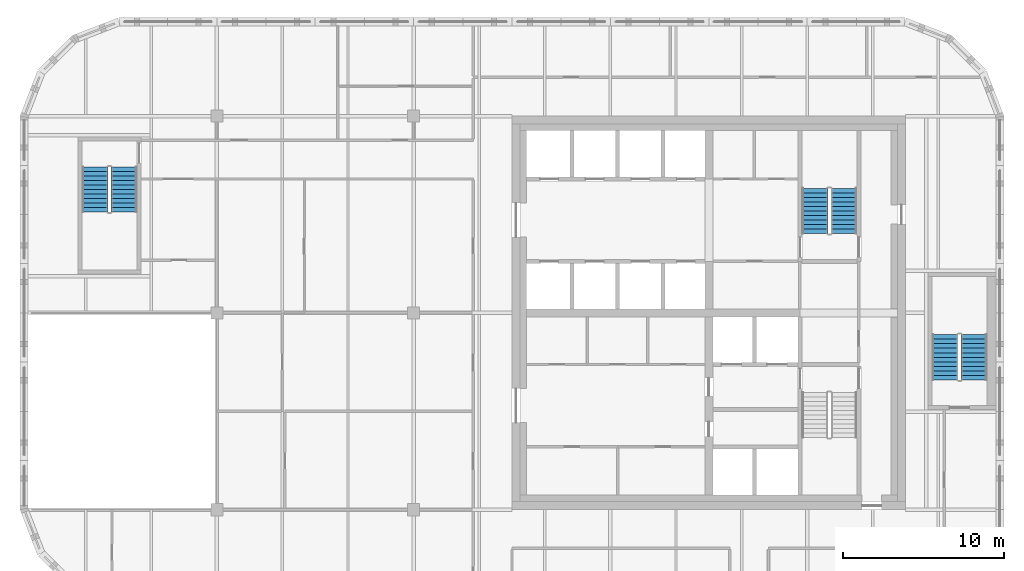
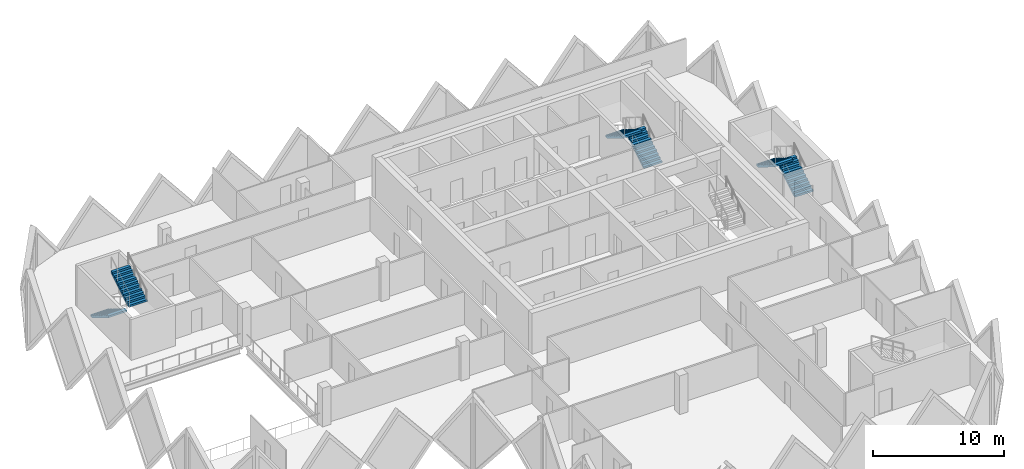
# One storey, part 11 of 12: 6 stair flights, 3 elements without a shape of their own.
"""IFC4 building model written with IfcOpenShell, lengths in metres."""

from ifc_helpers import new_model, si_unit, direction, frame, origin, place, context, subcontext, project, spatial, polyline, outline, extrude, material, type_object, element, aggregate, save


model = new_model("IFC4")

# Units and contexts
model_context = context("Model", 3, precision=1e-05, world=origin(), true_north=direction((0.0, 1.0)))
body_context = subcontext(model_context, "Body", "Model", "MODEL_VIEW")
ifc_project = project(units=[si_unit("LENGTHUNIT", "METRE"), si_unit("AREAUNIT", "SQUARE_METRE"), si_unit("VOLUMEUNIT", "CUBIC_METRE"), si_unit("PLANEANGLEUNIT", "RADIAN"), si_unit("MASSUNIT", "GRAM", prefix="KILO")], contexts=[model_context])

# Site, building, storey
site_placement = place(None, origin())
site = spatial("IfcSite", under=ifc_project, at=site_placement, CompositionType="ELEMENT")
building_placement = place(site_placement, origin())
building = spatial("IfcBuilding", under=site, at=building_placement, Name="Tessera Gate Towers", CompositionType="ELEMENT")
storey_placement = place(building_placement, frame((0.0, 0.0, 216.89990234375)))
storey = spatial("IfcBuildingStorey", under=building, at=storey_placement, Name="L54", CompositionType="ELEMENT", Elevation=216.89990234375)

# Stair, stair flights
ifc_material_1 = material(Name="Concrete C40/50", Category="concrete")
stair_type_1 = type_object("IfcStairType", Name="EXIT STAIR ST2 1600", PredefinedType="HALF_TURN_STAIR", material=ifc_material_1)
stair_1_placement = place(storey_placement, origin())
stair_1 = element("IfcStair", 1, at=stair_1_placement, inside=storey, type_object=stair_type_1, Name="L54 Protected Exit Stair ST2", PredefinedType="HALF_TURN_STAIR")
ifc_material_2 = material(Name="Concrete C40/50", Category="concrete")
stair_flight_type_1 = type_object("IfcStairFlightType", Name="EXIT STAIR FLIGHT ST2 1600", PredefinedType="STRAIGHT", material=ifc_material_2)
stair_flight_1_placement = place(storey_placement, frame((51.074951171875, 41.52490234375, 0.0), z_axis=(0.0, 0.0, 1.0), x_axis=(0.0, 1.0, 0.0)))
stair_flight_1 = element("IfcStairFlight", 2, at=stair_flight_1_placement, type_object=stair_flight_type_1, Name="ST2 flight 1", NumberOfRisers=11, NumberOfTreads=10, PredefinedType="STRAIGHT", RiserHeight=0.172727273, TreadLength=0.28, context=body_context, shape_type="SweptSolid", body=[
    extrude(outline(polyline([(0.0, 0.0), (0.0, 0.172607421875), (0.280029296875, 0.172607421875), (0.280029296875, 0.345458984375), (0.56005859375, 0.345458984375), (0.56005859375, 0.51806640625), (0.840087890625, 0.51806640625), (0.840087890625, 0.69091796875), (1.1201171875, 0.69091796875), (1.1201171875, 0.863525390625), (1.39990234375, 0.863525390625), (1.39990234375, 1.036376953125), (1.679931640625, 1.036376953125), (1.679931640625, 1.208984375), (1.9599609375, 1.208984375), (1.9599609375, 1.3818359375), (2.239990234375, 1.3818359375), (2.239990234375, 1.554443359375), (2.52001953125, 1.554443359375), (2.52001953125, 1.727294921875), (2.800048828125, 1.727294921875), (2.800048828125, 1.89990234375), (2.800048828125, 1.551025390625), (0.285400390625, 0.0), (0.0, 0.0)])), frame((0.0, 0.800048828125, 0.0), z_axis=(0.0, -1.0, 0.0), x_axis=(1.0, 0.0, 0.0)), (0.0, 0.0, 1.0), 1.60009765625),
])
stair_flight_2_placement = place(storey_placement, frame((49.27490234375, 44.324951171875, 1.900146484375), z_axis=(0.0, 0.0, 1.0), x_axis=(0.0, -1.0, 0.0)))
stair_flight_2 = element("IfcStairFlight", 3, at=stair_flight_2_placement, type_object=stair_flight_type_1, Name="ST2 flight 2", NumberOfRisers=11, NumberOfTreads=10, PredefinedType="STRAIGHT", RiserHeight=0.172727273, TreadLength=0.28, context=body_context, shape_type="SweptSolid", body=[
    extrude(outline(polyline([(0.0, 0.0), (0.0, 0.172607421875), (0.280029296875, 0.172607421875), (0.280029296875, 0.345458984375), (0.56005859375, 0.345458984375), (0.56005859375, 0.51806640625), (0.840087890625, 0.51806640625), (0.840087890625, 0.69091796875), (1.1201171875, 0.69091796875), (1.1201171875, 0.863525390625), (1.39990234375, 0.863525390625), (1.39990234375, 1.036376953125), (1.679931640625, 1.036376953125), (1.679931640625, 1.208984375), (1.9599609375, 1.208984375), (1.9599609375, 1.3818359375), (2.239990234375, 1.3818359375), (2.239990234375, 1.554443359375), (2.52001953125, 1.554443359375), (2.52001953125, 1.727294921875), (2.800048828125, 1.727294921875), (2.800048828125, 1.89990234375), (2.800048828125, 1.551025390625), (0.285400390625, 0.0), (0.0, 0.0)])), frame((0.0, 0.800048828125, 0.0), z_axis=(0.0, -1.0, 0.0), x_axis=(1.0, 0.0, 0.0)), (0.0, 0.0, 1.0), 1.60009765625),
])
aggregate(stair_1, [stair_flight_1, stair_flight_2])

ifc_material_3 = material(Name="Concrete C40/50", Category="concrete")
stair_type_2 = type_object("IfcStairType", Name="EXIT STAIR ST3 1600", PredefinedType="HALF_TURN_STAIR", material=ifc_material_3)
stair_2_placement = place(storey_placement, origin())
stair_2 = element("IfcStair", 4, at=stair_2_placement, inside=storey, type_object=stair_type_2, Name="L54 West Exit Stair ST3", PredefinedType="HALF_TURN_STAIR")
ifc_material_4 = material(Name="Concrete C40/50", Category="concrete")
stair_flight_type_2 = type_object("IfcStairFlightType", Name="EXIT STAIR FLIGHT ST3 1600", PredefinedType="STRAIGHT", material=ifc_material_4)
stair_flight_3_placement = place(storey_placement, frame((4.64990234375, 45.64990234375, 0.0), z_axis=(0.0, 0.0, 1.0), x_axis=(0.0, -1.0, 0.0)))
stair_flight_3 = element("IfcStairFlight", 5, at=stair_flight_3_placement, type_object=stair_flight_type_2, Name="ST3 flight 1", NumberOfRisers=11, NumberOfTreads=10, PredefinedType="STRAIGHT", RiserHeight=0.172727273, TreadLength=0.28, context=body_context, shape_type="SweptSolid", body=[
    extrude(outline(polyline([(0.0, 0.0), (0.0, 0.172607421875), (0.280029296875, 0.172607421875), (0.280029296875, 0.345458984375), (0.56005859375, 0.345458984375), (0.56005859375, 0.51806640625), (0.840087890625, 0.51806640625), (0.840087890625, 0.69091796875), (1.1201171875, 0.69091796875), (1.1201171875, 0.863525390625), (1.39990234375, 0.863525390625), (1.39990234375, 1.036376953125), (1.679931640625, 1.036376953125), (1.679931640625, 1.208984375), (1.9599609375, 1.208984375), (1.9599609375, 1.3818359375), (2.239990234375, 1.3818359375), (2.239990234375, 1.554443359375), (2.52001953125, 1.554443359375), (2.52001953125, 1.727294921875), (2.800048828125, 1.727294921875), (2.800048828125, 1.89990234375), (2.800048828125, 1.551025390625), (0.285400390625, 0.0), (0.0, 0.0)])), frame((0.0, 0.800048828125, 0.0), z_axis=(0.0, -1.0, 0.0), x_axis=(1.0, 0.0, 0.0)), (0.0, 0.0, 1.0), 1.60009765625),
])
stair_flight_4_placement = place(storey_placement, frame((6.449951171875, 42.85009765625, 1.900146484375), z_axis=(0.0, 0.0, 1.0), x_axis=(0.0, 1.0, 0.0)))
stair_flight_4 = element("IfcStairFlight", 6, at=stair_flight_4_placement, type_object=stair_flight_type_2, Name="ST3 flight 2", NumberOfRisers=11, NumberOfTreads=10, PredefinedType="STRAIGHT", RiserHeight=0.172727273, TreadLength=0.28, context=body_context, shape_type="SweptSolid", body=[
    extrude(outline(polyline([(0.0, 0.0), (0.0, 0.172607421875), (0.280029296875, 0.172607421875), (0.280029296875, 0.345458984375), (0.56005859375, 0.345458984375), (0.56005859375, 0.51806640625), (0.840087890625, 0.51806640625), (0.840087890625, 0.69091796875), (1.1201171875, 0.69091796875), (1.1201171875, 0.863525390625), (1.39990234375, 0.863525390625), (1.39990234375, 1.036376953125), (1.679931640625, 1.036376953125), (1.679931640625, 1.208984375), (1.9599609375, 1.208984375), (1.9599609375, 1.3818359375), (2.239990234375, 1.3818359375), (2.239990234375, 1.554443359375), (2.52001953125, 1.554443359375), (2.52001953125, 1.727294921875), (2.800048828125, 1.727294921875), (2.800048828125, 1.89990234375), (2.800048828125, 1.551025390625), (0.285400390625, 0.0), (0.0, 0.0)])), frame((0.0, 0.800048828125, 0.0), z_axis=(0.0, -1.0, 0.0), x_axis=(1.0, 0.0, 0.0)), (0.0, 0.0, 1.0), 1.60009765625),
])
aggregate(stair_2, [stair_flight_3, stair_flight_4])

ifc_material_5 = material(Name="Concrete C40/50", Category="concrete")
stair_type_3 = type_object("IfcStairType", Name="EXIT STAIR ST5 1600", PredefinedType="HALF_TURN_STAIR", material=ifc_material_5)
stair_3_placement = place(storey_placement, origin())
stair_3 = element("IfcStair", 7, at=stair_3_placement, inside=storey, type_object=stair_type_3, Name="L54 East Exit Stair ST5", PredefinedType="HALF_TURN_STAIR")
ifc_material_6 = material(Name="Concrete C40/50", Category="concrete")
stair_flight_type_3 = type_object("IfcStairFlightType", Name="EXIT STAIR FLIGHT ST5 1600", PredefinedType="STRAIGHT", material=ifc_material_6)
stair_flight_5_placement = place(storey_placement, frame((59.14990234375, 32.449951171875, 0.0), z_axis=(0.0, 0.0, 1.0), x_axis=(0.0, 1.0, 0.0)))
stair_flight_5 = element("IfcStairFlight", 8, at=stair_flight_5_placement, type_object=stair_flight_type_3, Name="ST5 flight 1", NumberOfRisers=11, NumberOfTreads=10, PredefinedType="STRAIGHT", RiserHeight=0.172727273, TreadLength=0.28, context=body_context, shape_type="SweptSolid", body=[
    extrude(outline(polyline([(0.0, 0.0), (0.0, 0.172607421875), (0.280029296875, 0.172607421875), (0.280029296875, 0.345458984375), (0.56005859375, 0.345458984375), (0.56005859375, 0.51806640625), (0.840087890625, 0.51806640625), (0.840087890625, 0.69091796875), (1.1201171875, 0.69091796875), (1.1201171875, 0.863525390625), (1.39990234375, 0.863525390625), (1.39990234375, 1.036376953125), (1.679931640625, 1.036376953125), (1.679931640625, 1.208984375), (1.9599609375, 1.208984375), (1.9599609375, 1.3818359375), (2.239990234375, 1.3818359375), (2.239990234375, 1.554443359375), (2.52001953125, 1.554443359375), (2.52001953125, 1.727294921875), (2.800048828125, 1.727294921875), (2.800048828125, 1.89990234375), (2.800048828125, 1.551025390625), (0.285400390625, 0.0), (0.0, 0.0)])), frame((0.0, 0.800048828125, 0.0), z_axis=(0.0, -1.0, 0.0), x_axis=(1.0, 0.0, 0.0)), (0.0, 0.0, 1.0), 1.60009765625),
])
stair_flight_6_placement = place(storey_placement, frame((57.35009765625, 35.25, 1.900146484375), z_axis=(0.0, 0.0, 1.0), x_axis=(0.0, -1.0, 0.0)))
stair_flight_6 = element("IfcStairFlight", 9, at=stair_flight_6_placement, type_object=stair_flight_type_3, Name="ST5 flight 2", NumberOfRisers=11, NumberOfTreads=10, PredefinedType="STRAIGHT", RiserHeight=0.172727273, TreadLength=0.28, context=body_context, shape_type="SweptSolid", body=[
    extrude(outline(polyline([(0.0, 0.0), (0.0, 0.172607421875), (0.280029296875, 0.172607421875), (0.280029296875, 0.345458984375), (0.56005859375, 0.345458984375), (0.56005859375, 0.51806640625), (0.840087890625, 0.51806640625), (0.840087890625, 0.69091796875), (1.1201171875, 0.69091796875), (1.1201171875, 0.863525390625), (1.39990234375, 0.863525390625), (1.39990234375, 1.036376953125), (1.679931640625, 1.036376953125), (1.679931640625, 1.208984375), (1.9599609375, 1.208984375), (1.9599609375, 1.3818359375), (2.239990234375, 1.3818359375), (2.239990234375, 1.554443359375), (2.52001953125, 1.554443359375), (2.52001953125, 1.727294921875), (2.800048828125, 1.727294921875), (2.800048828125, 1.89990234375), (2.800048828125, 1.551025390625), (0.285400390625, 0.0), (0.0, 0.0)])), frame((0.0, 0.800048828125, 0.0), z_axis=(0.0, -1.0, 0.0), x_axis=(1.0, 0.0, 0.0)), (0.0, 0.0, 1.0), 1.60009765625),
])
aggregate(stair_3, [stair_flight_5, stair_flight_6])

save(model, "model.ifc")
